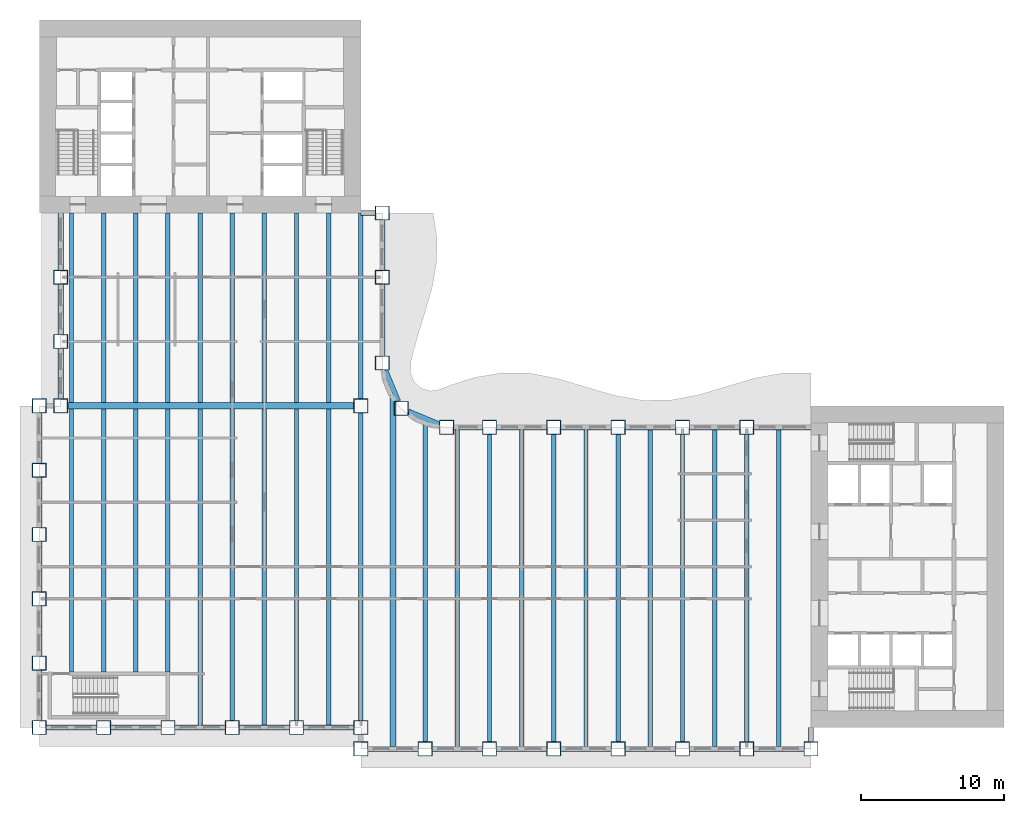
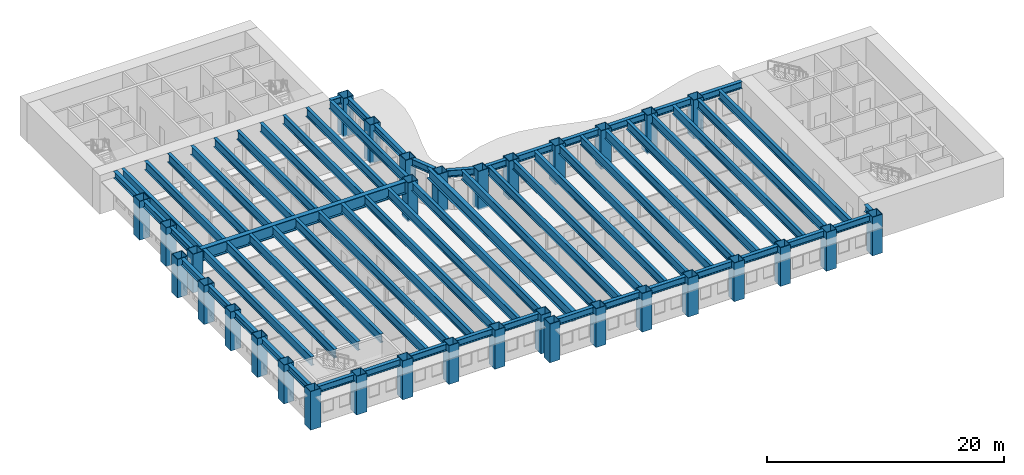
# One storey, part 1 of 16: 66 beams, 33 columns.
"""IFC4 building model written with IfcOpenShell, lengths in metres."""

from ifc_helpers import new_model, si_unit, direction, frame, origin, origin_2d, place, context, subcontext, project, spatial, hollow_rectangle, i_section, extrude, material, material_profile, profile_set, type_object, element, save


model = new_model("IFC4")

# Units and contexts
model_context = context("Model", 3, precision=1e-05, world=origin(), true_north=direction((0.0, 1.0)))
body_context = subcontext(model_context, "Body", "Model", "MODEL_VIEW")
ifc_project = project(units=[si_unit("LENGTHUNIT", "METRE"), si_unit("AREAUNIT", "SQUARE_METRE"), si_unit("VOLUMEUNIT", "CUBIC_METRE"), si_unit("PLANEANGLEUNIT", "RADIAN"), si_unit("MASSUNIT", "GRAM", prefix="KILO")], contexts=[model_context])

# Site, building, storey
site_placement = place(None, origin())
site = spatial("IfcSite", under=ifc_project, at=site_placement, CompositionType="ELEMENT")
building_placement = place(site_placement, origin())
building = spatial("IfcBuilding", under=site, at=building_placement, Name="Sennacour Bend Tower", CompositionType="ELEMENT")
storey_placement = place(building_placement, frame((0.0, 0.0, 95.0)))
storey = spatial("IfcBuildingStorey", under=building, at=storey_placement, Name="L21", CompositionType="ELEMENT", Elevation=95.0)

# Columns
ifc_material_1 = material(Name="Steel ASTM A572 Grade 50", Category="steel")
ifc_material_profile_1 = material_profile(ifc_material_1, hollow_rectangle(XDim=1.0, YDim=1.0, WallThickness=0.050048828125, at=origin_2d()), Name="Steel ASTM A572 Grade 50", Category="steel")
ifc_profile_set_1 = profile_set([ifc_material_profile_1], Name="Steel ASTM A572 Grade 50")
column_type = type_object("IfcColumnType", Name="Box column 1000", PredefinedType="COLUMN", material=ifc_profile_set_1)
for number, where, z_axis, x_axis, name in (
    (1, (0.0, 0.0, -0.14990234375), (0.0, 0.0, 1.0), (1.0, 0.0, 0.0), "Perimeter column C2 L21-001"),
    (2, (0.0, 4.5, -0.14990234375), (0.0, 0.0, 1.0), (1.0, 0.0, 0.0), "Perimeter column C2 L21-002"),
    (3, (0.0, 9.0, -0.14990234375), (0.0, 0.0, 1.0), (1.0, 0.0, 0.0), "Perimeter column C2 L21-003"),
    (4, (0.0, 13.5, -0.14990234375), (0.0, 0.0, 1.0), (1.0, 0.0, 0.0), "Perimeter column C2 L21-004"),
    (5, (0.0, 18.0, -0.14990234375), (0.0, 0.0, 1.0), (1.0, 0.0, 0.0), "Perimeter column C2 L21-005"),
    (6, (0.0, 22.5, -0.14990234375), (0.0, 0.0, 1.0), (1.0, 0.0, 0.0), "Perimeter column C2 L21-006"),
    (7, (1.5, 22.5, -0.14990234375), (0.0, 0.0, 1.0), (1.0, 0.0, 0.0), "Perimeter column C2 L21-007"),
    (8, (1.5, 27.0, -0.14990234375), (0.0, 0.0, 1.0), (1.0, 0.0, 0.0), "Perimeter column C2 L21-008"),
    (9, (1.5, 31.5, -0.14990234375), (0.0, 0.0, 1.0), (1.0, 0.0, 0.0), "Perimeter column C2 L21-009"),
    (10, (4.5, 0.0, -0.14990234375), (0.0, 0.0, 1.0), (1.0, 0.0, 0.0), "Perimeter column C2 L21-010"),
    (11, (9.0, 0.0, -0.14990234375), (0.0, 0.0, 1.0), (1.0, 0.0, 0.0), "Perimeter column C2 L21-011"),
    (12, (13.5, 0.0, -0.14990234375), (0.0, 0.0, 1.0), (1.0, 0.0, 0.0), "Perimeter column C2 L21-012"),
    (13, (18.0, 0.0, -0.14990234375), (0.0, 0.0, 1.0), (1.0, 0.0, 0.0), "Perimeter column C2 L21-013"),
    (14, (22.5, -1.5, -0.14990234375), (0.0, 0.0, 1.0), (1.0, 0.0, 0.0), "Perimeter column C2 L21-014"),
    (15, (22.5, 0.0, -0.14990234375), (0.0, 0.0, 1.0), (1.0, 0.0, 0.0), "Perimeter column C2 L21-015"),
    (16, (22.5, 22.5, -0.14990234375), (0.0, 0.0, 1.0), (1.0, 0.0, 0.0), "Knuckle column C2 L21-016"),
    (17, (24.0, 25.5, -0.14990234375), (0.0, 0.0, 1.0), (1.0, 0.0, 0.0), "Perimeter column C2 L21-017"),
    (18, (24.0, 31.5, -0.14990234375), (0.0, 0.0, 1.0), (1.0, 0.0, 0.0), "Perimeter column C2 L21-018"),
    (19, (24.0, 36.0, -0.14990234375), (0.0, 0.0, 1.0), (1.0, 0.0, 0.0), "Perimeter column C2 L21-019"),
    (20, (25.318115234375, 22.318115234375, -0.14990234375), (0.0, 0.0, 1.0), (1.0, 0.0, 0.0), "Perimeter column C2 L21-020"),
    (21, (27.0, -1.5, -0.14990234375), (0.0, 0.0, 1.0), (1.0, 0.0, 0.0), "Perimeter column C2 L21-021"),
    (22, (28.5, 21.0, -0.14990234375), (0.0, 0.0, 1.0), (1.0, 0.0, 0.0), "Perimeter column C2 L21-022"),
    (23, (31.5, -1.5, -0.14990234375), (0.0, 0.0, 1.0), (1.0, 0.0, 0.0), "Perimeter column C2 L21-023"),
    (24, (31.5, 21.0, -0.14990234375), (0.0, 0.0, 1.0), (1.0, 0.0, 0.0), "Perimeter column C2 L21-024"),
    (25, (36.0, -1.5, -0.14990234375), (0.0, 0.0, 1.0), (1.0, 0.0, 0.0), "Perimeter column C2 L21-025"),
    (26, (36.0, 21.0, -0.14990234375), (0.0, 0.0, 1.0), (1.0, 0.0, 0.0), "Perimeter column C2 L21-026"),
    (27, (40.5, -1.5, -0.14990234375), (0.0, 0.0, 1.0), (1.0, 0.0, 0.0), "Perimeter column C2 L21-027"),
    (28, (40.5, 21.0, -0.14990234375), (0.0, 0.0, 1.0), (1.0, 0.0, 0.0), "Perimeter column C2 L21-028"),
    (29, (45.0, -1.5, -0.14990234375), (0.0, 0.0, 1.0), (1.0, 0.0, 0.0), "Perimeter column C2 L21-029"),
    (30, (45.0, 21.0, -0.14990234375), (0.0, 0.0, 1.0), (1.0, 0.0, 0.0), "Perimeter column C2 L21-030"),
    (31, (49.5, -1.5, -0.14990234375), (0.0, 0.0, 1.0), (1.0, 0.0, 0.0), "Perimeter column C2 L21-031"),
    (32, (49.5, 21.0, -0.14990234375), (0.0, 0.0, 1.0), (1.0, 0.0, 0.0), "Perimeter column C2 L21-032"),
    (33, (54.0, -1.5, -0.14990234375), (0.0, 0.0, 1.0), (1.0, 0.0, 0.0), "Perimeter column C2 L21-033"),
):
    element("IfcColumn", number, at=place(storey_placement, frame(where, z_axis=z_axis, x_axis=x_axis)), inside=storey, type_object=column_type, Name=name, PredefinedType="COLUMN", context=body_context, shape_type="SweptSolid", body=[
        extrude(hollow_rectangle(XDim=1.0, YDim=1.0, WallThickness=0.050048828125, at=origin_2d()), origin(), (0.0, 0.0, 1.0), 4.0),
    ])

# Beams
ifc_material_2 = material(Name="Steel ASTM A992 Grade 50", Category="steel")
ifc_material_profile_2 = material_profile(ifc_material_2, i_section(OverallWidth=0.304931640625, OverallDepth=0.912109375, WebThickness=0.015869140625, FlangeThickness=0.02392578125, FilletRadius=0.01904296875, at=origin_2d()), Name="Steel ASTM A992 Grade 50", Category="steel")
ifc_profile_set_2 = profile_set([ifc_material_profile_2], Name="Steel ASTM A992 Grade 50")
beam_type_1 = type_object("IfcBeamType", Name="Floor beam W920X223", PredefinedType="BEAM", material=ifc_profile_set_2)
beam_1_placement = place(storey_placement, frame((2.25, 3.875, 3.39404296875), z_axis=(0.0, 1.0, 0.0), x_axis=(-1.0, 0.0, 0.0)))
element("IfcBeam", 34, at=beam_1_placement, inside=storey, type_object=beam_type_1, Name="Floor beam FBM1 L22-001", PredefinedType="BEAM", context=body_context, shape_type="SweptSolid", body=[
    extrude(i_section(OverallWidth=0.304931640625, OverallDepth=0.912109375, WebThickness=0.015869140625, FlangeThickness=0.02392578125, FilletRadius=0.01904296875, at=origin_2d()), origin(), (0.0, 0.0, 1.0), 18.39990234375),
])
beam_2_placement = place(storey_placement, frame((2.25, 22.72509765625, 3.39404296875), z_axis=(0.0, 1.0, 0.0), x_axis=(-1.0, 0.0, 0.0)))
element("IfcBeam", 35, at=beam_2_placement, inside=storey, type_object=beam_type_1, Name="Floor beam FBM1 L22-002", PredefinedType="BEAM", context=body_context, shape_type="SweptSolid", body=[
    extrude(i_section(OverallWidth=0.304931640625, OverallDepth=0.912109375, WebThickness=0.015869140625, FlangeThickness=0.02392578125, FilletRadius=0.01904296875, at=origin_2d()), origin(), (0.0, 0.0, 1.0), 13.27490234375),
])
beam_3_placement = place(storey_placement, frame((4.5, 3.875, 3.39404296875), z_axis=(0.0, 1.0, 0.0), x_axis=(-1.0, 0.0, 0.0)))
element("IfcBeam", 36, at=beam_3_placement, inside=storey, type_object=beam_type_1, Name="Floor beam FBM1 L22-003", PredefinedType="BEAM", context=body_context, shape_type="SweptSolid", body=[
    extrude(i_section(OverallWidth=0.304931640625, OverallDepth=0.912109375, WebThickness=0.015869140625, FlangeThickness=0.02392578125, FilletRadius=0.01904296875, at=origin_2d()), origin(), (0.0, 0.0, 1.0), 18.39990234375),
])
beam_4_placement = place(storey_placement, frame((4.5, 22.72509765625, 3.39404296875), z_axis=(0.0, 1.0, 0.0), x_axis=(-1.0, 0.0, 0.0)))
element("IfcBeam", 37, at=beam_4_placement, inside=storey, type_object=beam_type_1, Name="Floor beam FBM1 L22-004", PredefinedType="BEAM", context=body_context, shape_type="SweptSolid", body=[
    extrude(i_section(OverallWidth=0.304931640625, OverallDepth=0.912109375, WebThickness=0.015869140625, FlangeThickness=0.02392578125, FilletRadius=0.01904296875, at=origin_2d()), origin(), (0.0, 0.0, 1.0), 13.27490234375),
])
beam_5_placement = place(storey_placement, frame((6.75, 3.875, 3.39404296875), z_axis=(0.0, 1.0, 0.0), x_axis=(-1.0, 0.0, 0.0)))
element("IfcBeam", 38, at=beam_5_placement, inside=storey, type_object=beam_type_1, Name="Floor beam FBM1 L22-005", PredefinedType="BEAM", context=body_context, shape_type="SweptSolid", body=[
    extrude(i_section(OverallWidth=0.304931640625, OverallDepth=0.912109375, WebThickness=0.015869140625, FlangeThickness=0.02392578125, FilletRadius=0.01904296875, at=origin_2d()), origin(), (0.0, 0.0, 1.0), 18.39990234375),
])
beam_6_placement = place(storey_placement, frame((6.75, 22.72509765625, 3.39404296875), z_axis=(0.0, 1.0, 0.0), x_axis=(-1.0, 0.0, 0.0)))
element("IfcBeam", 39, at=beam_6_placement, inside=storey, type_object=beam_type_1, Name="Floor beam FBM1 L22-006", PredefinedType="BEAM", context=body_context, shape_type="SweptSolid", body=[
    extrude(i_section(OverallWidth=0.304931640625, OverallDepth=0.912109375, WebThickness=0.015869140625, FlangeThickness=0.02392578125, FilletRadius=0.01904296875, at=origin_2d()), origin(), (0.0, 0.0, 1.0), 13.27490234375),
])
beam_7_placement = place(storey_placement, frame((9.0, 3.875, 3.39404296875), z_axis=(0.0, 1.0, 0.0), x_axis=(-1.0, 0.0, 0.0)))
element("IfcBeam", 40, at=beam_7_placement, inside=storey, type_object=beam_type_1, Name="Floor beam FBM1 L22-007", PredefinedType="BEAM", context=body_context, shape_type="SweptSolid", body=[
    extrude(i_section(OverallWidth=0.304931640625, OverallDepth=0.912109375, WebThickness=0.015869140625, FlangeThickness=0.02392578125, FilletRadius=0.01904296875, at=origin_2d()), origin(), (0.0, 0.0, 1.0), 18.39990234375),
])
beam_8_placement = place(storey_placement, frame((9.0, 22.72509765625, 3.39404296875), z_axis=(0.0, 1.0, 0.0), x_axis=(-1.0, 0.0, 0.0)))
element("IfcBeam", 41, at=beam_8_placement, inside=storey, type_object=beam_type_1, Name="Floor beam FBM1 L22-008", PredefinedType="BEAM", context=body_context, shape_type="SweptSolid", body=[
    extrude(i_section(OverallWidth=0.304931640625, OverallDepth=0.912109375, WebThickness=0.015869140625, FlangeThickness=0.02392578125, FilletRadius=0.01904296875, at=origin_2d()), origin(), (0.0, 0.0, 1.0), 13.27490234375),
])
beam_9_placement = place(storey_placement, frame((11.25, 0.177978515625, 3.39404296875), z_axis=(0.0, 1.0, 0.0), x_axis=(-1.0, 0.0, 0.0)))
element("IfcBeam", 42, at=beam_9_placement, inside=storey, type_object=beam_type_1, Name="Floor beam FBM1 L22-009", PredefinedType="BEAM", context=body_context, shape_type="SweptSolid", body=[
    extrude(i_section(OverallWidth=0.304931640625, OverallDepth=0.912109375, WebThickness=0.015869140625, FlangeThickness=0.02392578125, FilletRadius=0.01904296875, at=origin_2d()), origin(), (0.0, 0.0, 1.0), 22.096923828125),
])
beam_10_placement = place(storey_placement, frame((11.25, 22.72509765625, 3.39404296875), z_axis=(0.0, 1.0, 0.0), x_axis=(-1.0, 0.0, 0.0)))
element("IfcBeam", 43, at=beam_10_placement, inside=storey, type_object=beam_type_1, Name="Floor beam FBM1 L22-010", PredefinedType="BEAM", context=body_context, shape_type="SweptSolid", body=[
    extrude(i_section(OverallWidth=0.304931640625, OverallDepth=0.912109375, WebThickness=0.015869140625, FlangeThickness=0.02392578125, FilletRadius=0.01904296875, at=origin_2d()), origin(), (0.0, 0.0, 1.0), 13.27490234375),
])
beam_11_placement = place(storey_placement, frame((13.5, 0.5, 3.39404296875), z_axis=(0.0, 1.0, 0.0), x_axis=(-1.0, 0.0, 0.0)))
element("IfcBeam", 44, at=beam_11_placement, inside=storey, type_object=beam_type_1, Name="Floor beam FBM1 L22-011", PredefinedType="BEAM", context=body_context, shape_type="SweptSolid", body=[
    extrude(i_section(OverallWidth=0.304931640625, OverallDepth=0.912109375, WebThickness=0.015869140625, FlangeThickness=0.02392578125, FilletRadius=0.01904296875, at=origin_2d()), origin(), (0.0, 0.0, 1.0), 21.77490234375),
])
beam_12_placement = place(storey_placement, frame((13.5, 22.72509765625, 3.39404296875), z_axis=(0.0, 1.0, 0.0), x_axis=(-1.0, 0.0, 0.0)))
element("IfcBeam", 45, at=beam_12_placement, inside=storey, type_object=beam_type_1, Name="Floor beam FBM1 L22-012", PredefinedType="BEAM", context=body_context, shape_type="SweptSolid", body=[
    extrude(i_section(OverallWidth=0.304931640625, OverallDepth=0.912109375, WebThickness=0.015869140625, FlangeThickness=0.02392578125, FilletRadius=0.01904296875, at=origin_2d()), origin(), (0.0, 0.0, 1.0), 13.27490234375),
])
beam_13_placement = place(storey_placement, frame((15.75, 0.177978515625, 3.39404296875), z_axis=(0.0, 1.0, 0.0), x_axis=(-1.0, 0.0, 0.0)))
element("IfcBeam", 46, at=beam_13_placement, inside=storey, type_object=beam_type_1, Name="Floor beam FBM1 L22-013", PredefinedType="BEAM", context=body_context, shape_type="SweptSolid", body=[
    extrude(i_section(OverallWidth=0.304931640625, OverallDepth=0.912109375, WebThickness=0.015869140625, FlangeThickness=0.02392578125, FilletRadius=0.01904296875, at=origin_2d()), origin(), (0.0, 0.0, 1.0), 22.096923828125),
])
beam_14_placement = place(storey_placement, frame((15.75, 22.72509765625, 3.39404296875), z_axis=(0.0, 1.0, 0.0), x_axis=(-1.0, 0.0, 0.0)))
element("IfcBeam", 47, at=beam_14_placement, inside=storey, type_object=beam_type_1, Name="Floor beam FBM1 L22-014", PredefinedType="BEAM", context=body_context, shape_type="SweptSolid", body=[
    extrude(i_section(OverallWidth=0.304931640625, OverallDepth=0.912109375, WebThickness=0.015869140625, FlangeThickness=0.02392578125, FilletRadius=0.01904296875, at=origin_2d()), origin(), (0.0, 0.0, 1.0), 13.27490234375),
])
beam_15_placement = place(storey_placement, frame((18.0, 0.5, 3.39404296875), z_axis=(0.0, 1.0, 0.0), x_axis=(-1.0, 0.0, 0.0)))
element("IfcBeam", 48, at=beam_15_placement, inside=storey, type_object=beam_type_1, Name="Floor beam FBM1 L22-015", PredefinedType="BEAM", context=body_context, shape_type="SweptSolid", body=[
    extrude(i_section(OverallWidth=0.304931640625, OverallDepth=0.912109375, WebThickness=0.015869140625, FlangeThickness=0.02392578125, FilletRadius=0.01904296875, at=origin_2d()), origin(), (0.0, 0.0, 1.0), 21.77490234375),
])
beam_16_placement = place(storey_placement, frame((18.0, 22.72509765625, 3.39404296875), z_axis=(0.0, 1.0, 0.0), x_axis=(-1.0, 0.0, 0.0)))
element("IfcBeam", 49, at=beam_16_placement, inside=storey, type_object=beam_type_1, Name="Floor beam FBM1 L22-016", PredefinedType="BEAM", context=body_context, shape_type="SweptSolid", body=[
    extrude(i_section(OverallWidth=0.304931640625, OverallDepth=0.912109375, WebThickness=0.015869140625, FlangeThickness=0.02392578125, FilletRadius=0.01904296875, at=origin_2d()), origin(), (0.0, 0.0, 1.0), 13.27490234375),
])
beam_17_placement = place(storey_placement, frame((20.25, 0.177978515625, 3.39404296875), z_axis=(0.0, 1.0, 0.0), x_axis=(-1.0, 0.0, 0.0)))
element("IfcBeam", 50, at=beam_17_placement, inside=storey, type_object=beam_type_1, Name="Floor beam FBM1 L22-017", PredefinedType="BEAM", context=body_context, shape_type="SweptSolid", body=[
    extrude(i_section(OverallWidth=0.304931640625, OverallDepth=0.912109375, WebThickness=0.015869140625, FlangeThickness=0.02392578125, FilletRadius=0.01904296875, at=origin_2d()), origin(), (0.0, 0.0, 1.0), 22.096923828125),
])
beam_18_placement = place(storey_placement, frame((20.25, 22.72509765625, 3.39404296875), z_axis=(0.0, 1.0, 0.0), x_axis=(-1.0, 0.0, 0.0)))
element("IfcBeam", 51, at=beam_18_placement, inside=storey, type_object=beam_type_1, Name="Floor beam FBM1 L22-018", PredefinedType="BEAM", context=body_context, shape_type="SweptSolid", body=[
    extrude(i_section(OverallWidth=0.304931640625, OverallDepth=0.912109375, WebThickness=0.015869140625, FlangeThickness=0.02392578125, FilletRadius=0.01904296875, at=origin_2d()), origin(), (0.0, 0.0, 1.0), 13.27490234375),
])
beam_19_placement = place(storey_placement, frame((22.5, 0.5, 3.39404296875), z_axis=(0.0, 1.0, 0.0), x_axis=(-1.0, 0.0, 0.0)))
element("IfcBeam", 52, at=beam_19_placement, inside=storey, type_object=beam_type_1, Name="Floor beam FBM1 L22-019", PredefinedType="BEAM", context=body_context, shape_type="SweptSolid", body=[
    extrude(i_section(OverallWidth=0.304931640625, OverallDepth=0.912109375, WebThickness=0.015869140625, FlangeThickness=0.02392578125, FilletRadius=0.01904296875, at=origin_2d()), origin(), (0.0, 0.0, 1.0), 21.5),
])
beam_20_placement = place(storey_placement, frame((22.5, 23.0, 3.39404296875), z_axis=(0.0, 1.0, 0.0), x_axis=(-1.0, 0.0, 0.0)))
element("IfcBeam", 53, at=beam_20_placement, inside=storey, type_object=beam_type_1, Name="Floor beam FBM1 L22-020", PredefinedType="BEAM", context=body_context, shape_type="SweptSolid", body=[
    extrude(i_section(OverallWidth=0.304931640625, OverallDepth=0.912109375, WebThickness=0.015869140625, FlangeThickness=0.02392578125, FilletRadius=0.01904296875, at=origin_2d()), origin(), (0.0, 0.0, 1.0), 13.0),
])
beam_21_placement = place(storey_placement, frame((27.0, -1.0, 3.39404296875), z_axis=(0.0, 1.0, 0.0), x_axis=(-1.0, 0.0, 0.0)))
element("IfcBeam", 54, at=beam_21_placement, inside=storey, type_object=beam_type_1, Name="Floor beam FBM1 L22-022", PredefinedType="BEAM", context=body_context, shape_type="SweptSolid", body=[
    extrude(i_section(OverallWidth=0.304931640625, OverallDepth=0.912109375, WebThickness=0.015869140625, FlangeThickness=0.02392578125, FilletRadius=0.01904296875, at=origin_2d()), origin(), (0.0, 0.0, 1.0), 22.4287109375),
])
beam_22_placement = place(storey_placement, frame((29.25, -1.322021484375, 3.39404296875), z_axis=(0.0, 1.0, 0.0), x_axis=(-1.0, 0.0, 0.0)))
element("IfcBeam", 55, at=beam_22_placement, inside=storey, type_object=beam_type_1, Name="Floor beam FBM1 L22-023", PredefinedType="BEAM", context=body_context, shape_type="SweptSolid", body=[
    extrude(i_section(OverallWidth=0.304931640625, OverallDepth=0.912109375, WebThickness=0.015869140625, FlangeThickness=0.02392578125, FilletRadius=0.01904296875, at=origin_2d()), origin(), (0.0, 0.0, 1.0), 22.14404296875),
])
beam_23_placement = place(storey_placement, frame((31.5, -1.0, 3.39404296875), z_axis=(0.0, 1.0, 0.0), x_axis=(-1.0, 0.0, 0.0)))
element("IfcBeam", 56, at=beam_23_placement, inside=storey, type_object=beam_type_1, Name="Floor beam FBM1 L22-024", PredefinedType="BEAM", context=body_context, shape_type="SweptSolid", body=[
    extrude(i_section(OverallWidth=0.304931640625, OverallDepth=0.912109375, WebThickness=0.015869140625, FlangeThickness=0.02392578125, FilletRadius=0.01904296875, at=origin_2d()), origin(), (0.0, 0.0, 1.0), 21.5),
])
beam_24_placement = place(storey_placement, frame((33.75, -1.322021484375, 3.39404296875), z_axis=(0.0, 1.0, 0.0), x_axis=(-1.0, 0.0, 0.0)))
element("IfcBeam", 57, at=beam_24_placement, inside=storey, type_object=beam_type_1, Name="Floor beam FBM1 L22-025", PredefinedType="BEAM", context=body_context, shape_type="SweptSolid", body=[
    extrude(i_section(OverallWidth=0.304931640625, OverallDepth=0.912109375, WebThickness=0.015869140625, FlangeThickness=0.02392578125, FilletRadius=0.01904296875, at=origin_2d()), origin(), (0.0, 0.0, 1.0), 22.14404296875),
])
beam_25_placement = place(storey_placement, frame((36.0, -1.0, 3.39404296875), z_axis=(0.0, 1.0, 0.0), x_axis=(-1.0, 0.0, 0.0)))
element("IfcBeam", 58, at=beam_25_placement, inside=storey, type_object=beam_type_1, Name="Floor beam FBM1 L22-026", PredefinedType="BEAM", context=body_context, shape_type="SweptSolid", body=[
    extrude(i_section(OverallWidth=0.304931640625, OverallDepth=0.912109375, WebThickness=0.015869140625, FlangeThickness=0.02392578125, FilletRadius=0.01904296875, at=origin_2d()), origin(), (0.0, 0.0, 1.0), 21.5),
])
beam_26_placement = place(storey_placement, frame((38.25, -1.322021484375, 3.39404296875), z_axis=(0.0, 1.0, 0.0), x_axis=(-1.0, 0.0, 0.0)))
element("IfcBeam", 59, at=beam_26_placement, inside=storey, type_object=beam_type_1, Name="Floor beam FBM1 L22-027", PredefinedType="BEAM", context=body_context, shape_type="SweptSolid", body=[
    extrude(i_section(OverallWidth=0.304931640625, OverallDepth=0.912109375, WebThickness=0.015869140625, FlangeThickness=0.02392578125, FilletRadius=0.01904296875, at=origin_2d()), origin(), (0.0, 0.0, 1.0), 22.14404296875),
])
beam_27_placement = place(storey_placement, frame((40.5, -1.0, 3.39404296875), z_axis=(0.0, 1.0, 0.0), x_axis=(-1.0, 0.0, 0.0)))
element("IfcBeam", 60, at=beam_27_placement, inside=storey, type_object=beam_type_1, Name="Floor beam FBM1 L22-028", PredefinedType="BEAM", context=body_context, shape_type="SweptSolid", body=[
    extrude(i_section(OverallWidth=0.304931640625, OverallDepth=0.912109375, WebThickness=0.015869140625, FlangeThickness=0.02392578125, FilletRadius=0.01904296875, at=origin_2d()), origin(), (0.0, 0.0, 1.0), 21.5),
])
beam_28_placement = place(storey_placement, frame((42.75, -1.322021484375, 3.39404296875), z_axis=(0.0, 1.0, 0.0), x_axis=(-1.0, 0.0, 0.0)))
element("IfcBeam", 61, at=beam_28_placement, inside=storey, type_object=beam_type_1, Name="Floor beam FBM1 L22-029", PredefinedType="BEAM", context=body_context, shape_type="SweptSolid", body=[
    extrude(i_section(OverallWidth=0.304931640625, OverallDepth=0.912109375, WebThickness=0.015869140625, FlangeThickness=0.02392578125, FilletRadius=0.01904296875, at=origin_2d()), origin(), (0.0, 0.0, 1.0), 22.14404296875),
])
beam_29_placement = place(storey_placement, frame((45.0, -1.0, 3.39404296875), z_axis=(0.0, 1.0, 0.0), x_axis=(-1.0, 0.0, 0.0)))
element("IfcBeam", 62, at=beam_29_placement, inside=storey, type_object=beam_type_1, Name="Floor beam FBM1 L22-030", PredefinedType="BEAM", context=body_context, shape_type="SweptSolid", body=[
    extrude(i_section(OverallWidth=0.304931640625, OverallDepth=0.912109375, WebThickness=0.015869140625, FlangeThickness=0.02392578125, FilletRadius=0.01904296875, at=origin_2d()), origin(), (0.0, 0.0, 1.0), 21.5),
])
beam_30_placement = place(storey_placement, frame((47.25, -1.322021484375, 3.39404296875), z_axis=(0.0, 1.0, 0.0), x_axis=(-1.0, 0.0, 0.0)))
element("IfcBeam", 63, at=beam_30_placement, inside=storey, type_object=beam_type_1, Name="Floor beam FBM1 L22-031", PredefinedType="BEAM", context=body_context, shape_type="SweptSolid", body=[
    extrude(i_section(OverallWidth=0.304931640625, OverallDepth=0.912109375, WebThickness=0.015869140625, FlangeThickness=0.02392578125, FilletRadius=0.01904296875, at=origin_2d()), origin(), (0.0, 0.0, 1.0), 22.14404296875),
])
beam_31_placement = place(storey_placement, frame((49.5, -1.0, 3.39404296875), z_axis=(0.0, 1.0, 0.0), x_axis=(-1.0, 0.0, 0.0)))
element("IfcBeam", 64, at=beam_31_placement, inside=storey, type_object=beam_type_1, Name="Floor beam FBM1 L22-032", PredefinedType="BEAM", context=body_context, shape_type="SweptSolid", body=[
    extrude(i_section(OverallWidth=0.304931640625, OverallDepth=0.912109375, WebThickness=0.015869140625, FlangeThickness=0.02392578125, FilletRadius=0.01904296875, at=origin_2d()), origin(), (0.0, 0.0, 1.0), 21.5),
])
beam_32_placement = place(storey_placement, frame((51.75, -1.322021484375, 3.39404296875), z_axis=(0.0, 1.0, 0.0), x_axis=(-1.0, 0.0, 0.0)))
element("IfcBeam", 65, at=beam_32_placement, inside=storey, type_object=beam_type_1, Name="Floor beam FBM1 L22-033", PredefinedType="BEAM", context=body_context, shape_type="SweptSolid", body=[
    extrude(i_section(OverallWidth=0.304931640625, OverallDepth=0.912109375, WebThickness=0.015869140625, FlangeThickness=0.02392578125, FilletRadius=0.01904296875, at=origin_2d()), origin(), (0.0, 0.0, 1.0), 22.14404296875),
])
ifc_material_profile_3 = material_profile(ifc_material_1, i_section(OverallWidth=0.449951171875, OverallDepth=1.25, WebThickness=0.028076171875, FlangeThickness=0.050048828125, at=origin_2d()), Name="Steel ASTM A572 Grade 50", Category="steel")
ifc_profile_set_3 = profile_set([ifc_material_profile_3], Name="Steel ASTM A572 Grade 50")
beam_type_2 = type_object("IfcBeamType", Name="Knuckle girder 1250", PredefinedType="USERDEFINED", material=ifc_profile_set_3)
beam_33_placement = place(storey_placement, frame((2.0, 22.5, 3.22509765625), z_axis=(1.0, 0.0, 0.0), x_axis=(0.0, 1.0, 0.0)))
element("IfcBeam", 66, at=beam_33_placement, inside=storey, type_object=beam_type_2, Name="Knuckle girder GK L22-001", ObjectType="KNUCKLE GIRDER", PredefinedType="USERDEFINED", context=body_context, shape_type="SweptSolid", body=[
    extrude(i_section(OverallWidth=0.449951171875, OverallDepth=1.25, WebThickness=0.028076171875, FlangeThickness=0.050048828125, at=origin_2d()), origin(), (0.0, 0.0, 1.0), 20.0),
])
ifc_material_profile_4 = material_profile(ifc_material_2, i_section(OverallWidth=0.40087890625, OverallDepth=1.090087890625, WebThickness=0.01806640625, FlangeThickness=0.031005859375, FilletRadius=0.02001953125, at=origin_2d()), Name="Steel ASTM A992 Grade 50", Category="steel")
ifc_profile_set_4 = profile_set([ifc_material_profile_4], Name="Steel ASTM A992 Grade 50")
beam_type_3 = type_object("IfcBeamType", Name="Notch floor beam W1100X343", PredefinedType="BEAM", material=ifc_profile_set_4)
beam_34_placement = place(storey_placement, frame((24.75, -1.322021484375, 3.304931640625), z_axis=(0.0, 1.0, 0.0), x_axis=(-1.0, 0.0, 0.0)))
element("IfcBeam", 67, at=beam_34_placement, inside=storey, type_object=beam_type_3, Name="Floor beam FBM4 L22-021", PredefinedType="BEAM", context=body_context, shape_type="SweptSolid", body=[
    extrude(i_section(OverallWidth=0.40087890625, OverallDepth=1.090087890625, WebThickness=0.01806640625, FlangeThickness=0.031005859375, FilletRadius=0.02001953125, at=origin_2d()), origin(), (0.0, 0.0, 1.0), 24.546142578125),
])
ifc_material_profile_5 = material_profile(ifc_material_2, i_section(OverallWidth=0.35595703125, OverallDepth=0.696044921875, WebThickness=0.015380859375, FlangeThickness=0.02490234375, FilletRadius=0.02001953125, at=origin_2d()), Name="Steel ASTM A992 Grade 50", Category="steel")
ifc_profile_set_5 = profile_set([ifc_material_profile_5], Name="Steel ASTM A992 Grade 50")
beam_type_4 = type_object("IfcBeamType", Name="Spandrel beam W690X217", PredefinedType="SPANDREL", material=ifc_profile_set_5)
for number, where, z_axis, x_axis, name in (
    (68, (22.0, 0.0, 3.501953125), (-1.0, 0.0, 0.0), (0.0, -1.0, 0.0), "Spandrel beam SP3 L22-001"),
    (69, (17.5, 0.0, 3.501953125), (-1.0, 0.0, 0.0), (0.0, -1.0, 0.0), "Spandrel beam SP3 L22-002"),
    (70, (13.0, 0.0, 3.501953125), (-1.0, 0.0, 0.0), (0.0, -1.0, 0.0), "Spandrel beam SP3 L22-003"),
    (71, (8.5, 0.0, 3.501953125), (-1.0, 0.0, 0.0), (0.0, -1.0, 0.0), "Spandrel beam SP3 L22-004"),
    (72, (4.0, 0.0, 3.501953125), (-1.0, 0.0, 0.0), (0.0, -1.0, 0.0), "Spandrel beam SP3 L22-005"),
    (73, (0.0, 0.5, 3.501953125), (0.0, 1.0, 0.0), (-1.0, 0.0, 0.0), "Spandrel beam SP3 L22-006"),
    (74, (0.0, 5.0, 3.501953125), (0.0, 1.0, 0.0), (-1.0, 0.0, 0.0), "Spandrel beam SP3 L22-007"),
    (75, (0.0, 9.5, 3.501953125), (0.0, 1.0, 0.0), (-1.0, 0.0, 0.0), "Spandrel beam SP3 L22-008"),
    (76, (0.0, 14.0, 3.501953125), (0.0, 1.0, 0.0), (-1.0, 0.0, 0.0), "Spandrel beam SP3 L22-009"),
    (77, (0.0, 18.5, 3.501953125), (0.0, 1.0, 0.0), (-1.0, 0.0, 0.0), "Spandrel beam SP3 L22-010"),
    (78, (1.5, 23.0, 3.501953125), (0.0, 1.0, 0.0), (-1.0, 0.0, 0.0), "Spandrel beam SP3 L22-011"),
    (79, (1.5, 27.5, 3.501953125), (0.0, 1.0, 0.0), (-1.0, 0.0, 0.0), "Spandrel beam SP3 L22-012"),
):
    element("IfcBeam", number, at=place(storey_placement, frame(where, z_axis=z_axis, x_axis=x_axis)), inside=storey, type_object=beam_type_4, Name=name, PredefinedType="SPANDREL", context=body_context, shape_type="SweptSolid", body=[
        extrude(i_section(OverallWidth=0.35595703125, OverallDepth=0.696044921875, WebThickness=0.015380859375, FlangeThickness=0.02490234375, FilletRadius=0.02001953125, at=origin_2d()), origin(), (0.0, 0.0, 1.0), 3.5),
    ])
beam_35_placement = place(storey_placement, frame((1.5, 32.0, 3.501953125), z_axis=(0.0, 1.0, 0.0), x_axis=(-1.0, 0.0, 0.0)))
element("IfcBeam", 80, at=beam_35_placement, inside=storey, type_object=beam_type_4, Name="Spandrel beam SP3 L22-013", PredefinedType="SPANDREL", context=body_context, shape_type="SweptSolid", body=[
    extrude(i_section(OverallWidth=0.35595703125, OverallDepth=0.696044921875, WebThickness=0.015380859375, FlangeThickness=0.02490234375, FilletRadius=0.02001953125, at=origin_2d()), origin(), (0.0, 0.0, 1.0), 4.0),
])
beam_36_placement = place(storey_placement, frame((22.5, 36.0, 3.501953125), z_axis=(1.0, 0.0, 0.0), x_axis=(0.0, 1.0, 0.0)))
element("IfcBeam", 81, at=beam_36_placement, inside=storey, type_object=beam_type_4, Name="Spandrel beam SP3 L22-014", PredefinedType="SPANDREL", context=body_context, shape_type="SweptSolid", body=[
    extrude(i_section(OverallWidth=0.35595703125, OverallDepth=0.696044921875, WebThickness=0.015380859375, FlangeThickness=0.02490234375, FilletRadius=0.02001953125, at=origin_2d()), origin(), (0.0, 0.0, 1.0), 1.0),
])
beam_37_placement = place(storey_placement, frame((24.0, 35.5, 3.501953125), z_axis=(0.0, -1.0, 0.0), x_axis=(1.0, 0.0, 0.0)))
element("IfcBeam", 82, at=beam_37_placement, inside=storey, type_object=beam_type_4, Name="Spandrel beam SP3 L22-015", PredefinedType="SPANDREL", context=body_context, shape_type="SweptSolid", body=[
    extrude(i_section(OverallWidth=0.35595703125, OverallDepth=0.696044921875, WebThickness=0.015380859375, FlangeThickness=0.02490234375, FilletRadius=0.02001953125, at=origin_2d()), origin(), (0.0, 0.0, 1.0), 3.5),
])
beam_38_placement = place(storey_placement, frame((24.0, 31.0, 3.501953125), z_axis=(0.0, -1.0, 0.0), x_axis=(1.0, 0.0, 0.0)))
element("IfcBeam", 83, at=beam_38_placement, inside=storey, type_object=beam_type_4, Name="Spandrel beam SP3 L22-016", PredefinedType="SPANDREL", context=body_context, shape_type="SweptSolid", body=[
    extrude(i_section(OverallWidth=0.35595703125, OverallDepth=0.696044921875, WebThickness=0.015380859375, FlangeThickness=0.02490234375, FilletRadius=0.02001953125, at=origin_2d()), origin(), (0.0, 0.0, 1.0), 5.0),
])
for number, where, z_axis, x_axis, name in (
    (84, (24.20703125, 25.0, 3.501953125), (0.382698732017, -0.92387319504, 0.0), (0.92387319504, 0.382698732017, 0.0), "Spandrel beam SP3 L22-017"),
    (85, (25.818115234375, 22.11083984375, 3.501953125), (0.92387319504, -0.382698732017, 0.0), (0.382698732017, 0.92387319504, 0.0), "Spandrel beam SP3 L22-018"),
):
    element("IfcBeam", number, at=place(storey_placement, frame(where, z_axis=z_axis, x_axis=x_axis)), inside=storey, type_object=beam_type_4, Name=name, PredefinedType="SPANDREL", context=body_context, shape_type="SweptSolid", body=[
        extrude(i_section(OverallWidth=0.35595703125, OverallDepth=0.696044921875, WebThickness=0.015380859375, FlangeThickness=0.02490234375, FilletRadius=0.02001953125, at=origin_2d()), origin(), (0.0, 0.0, 1.0), 2.361572265625),
    ])
beam_39_placement = place(storey_placement, frame((29.0, 21.0, 3.501953125), z_axis=(1.0, 0.0, 0.0), x_axis=(0.0, 1.0, 0.0)))
element("IfcBeam", 86, at=beam_39_placement, inside=storey, type_object=beam_type_4, Name="Spandrel beam SP3 L22-019", PredefinedType="SPANDREL", context=body_context, shape_type="SweptSolid", body=[
    extrude(i_section(OverallWidth=0.35595703125, OverallDepth=0.696044921875, WebThickness=0.015380859375, FlangeThickness=0.02490234375, FilletRadius=0.02001953125, at=origin_2d()), origin(), (0.0, 0.0, 1.0), 2.0),
])
for number, where, z_axis, x_axis, name in (
    (87, (32.0, 21.0, 3.501953125), (1.0, 0.0, 0.0), (0.0, 1.0, 0.0), "Spandrel beam SP3 L22-020"),
    (88, (36.5, 21.0, 3.501953125), (1.0, 0.0, 0.0), (0.0, 1.0, 0.0), "Spandrel beam SP3 L22-021"),
    (89, (41.0, 21.0, 3.501953125), (1.0, 0.0, 0.0), (0.0, 1.0, 0.0), "Spandrel beam SP3 L22-022"),
    (90, (45.5, 21.0, 3.501953125), (1.0, 0.0, 0.0), (0.0, 1.0, 0.0), "Spandrel beam SP3 L22-023"),
):
    element("IfcBeam", number, at=place(storey_placement, frame(where, z_axis=z_axis, x_axis=x_axis)), inside=storey, type_object=beam_type_4, Name=name, PredefinedType="SPANDREL", context=body_context, shape_type="SweptSolid", body=[
        extrude(i_section(OverallWidth=0.35595703125, OverallDepth=0.696044921875, WebThickness=0.015380859375, FlangeThickness=0.02490234375, FilletRadius=0.02001953125, at=origin_2d()), origin(), (0.0, 0.0, 1.0), 3.5),
    ])
beam_40_placement = place(storey_placement, frame((50.0, 21.0, 3.501953125), z_axis=(1.0, 0.0, 0.0), x_axis=(0.0, 1.0, 0.0)))
element("IfcBeam", 91, at=beam_40_placement, inside=storey, type_object=beam_type_4, Name="Spandrel beam SP3 L22-024", PredefinedType="SPANDREL", context=body_context, shape_type="SweptSolid", body=[
    extrude(i_section(OverallWidth=0.35595703125, OverallDepth=0.696044921875, WebThickness=0.015380859375, FlangeThickness=0.02490234375, FilletRadius=0.02001953125, at=origin_2d()), origin(), (0.0, 0.0, 1.0), 4.0),
])
beam_41_placement = place(storey_placement, frame((54.0, 0.0, 3.501953125), z_axis=(0.0, -1.0, 0.0), x_axis=(1.0, 0.0, 0.0)))
element("IfcBeam", 92, at=beam_41_placement, inside=storey, type_object=beam_type_4, Name="Spandrel beam SP3 L22-025", PredefinedType="SPANDREL", context=body_context, shape_type="SweptSolid", body=[
    extrude(i_section(OverallWidth=0.35595703125, OverallDepth=0.696044921875, WebThickness=0.015380859375, FlangeThickness=0.02490234375, FilletRadius=0.02001953125, at=origin_2d()), origin(), (0.0, 0.0, 1.0), 1.0),
])
for number, where, z_axis, x_axis, name in (
    (93, (53.5, -1.5, 3.501953125), (-1.0, 0.0, 0.0), (0.0, -1.0, 0.0), "Spandrel beam SP3 L22-026"),
    (94, (49.0, -1.5, 3.501953125), (-1.0, 0.0, 0.0), (0.0, -1.0, 0.0), "Spandrel beam SP3 L22-027"),
    (95, (44.5, -1.5, 3.501953125), (-1.0, 0.0, 0.0), (0.0, -1.0, 0.0), "Spandrel beam SP3 L22-028"),
    (96, (40.0, -1.5, 3.501953125), (-1.0, 0.0, 0.0), (0.0, -1.0, 0.0), "Spandrel beam SP3 L22-029"),
    (97, (35.5, -1.5, 3.501953125), (-1.0, 0.0, 0.0), (0.0, -1.0, 0.0), "Spandrel beam SP3 L22-030"),
    (98, (31.0, -1.5, 3.501953125), (-1.0, 0.0, 0.0), (0.0, -1.0, 0.0), "Spandrel beam SP3 L22-031"),
    (99, (26.5, -1.5, 3.501953125), (-1.0, 0.0, 0.0), (0.0, -1.0, 0.0), "Spandrel beam SP3 L22-032"),
):
    element("IfcBeam", number, at=place(storey_placement, frame(where, z_axis=z_axis, x_axis=x_axis)), inside=storey, type_object=beam_type_4, Name=name, PredefinedType="SPANDREL", context=body_context, shape_type="SweptSolid", body=[
        extrude(i_section(OverallWidth=0.35595703125, OverallDepth=0.696044921875, WebThickness=0.015380859375, FlangeThickness=0.02490234375, FilletRadius=0.02001953125, at=origin_2d()), origin(), (0.0, 0.0, 1.0), 3.5),
    ])

save(model, "model.ifc")
